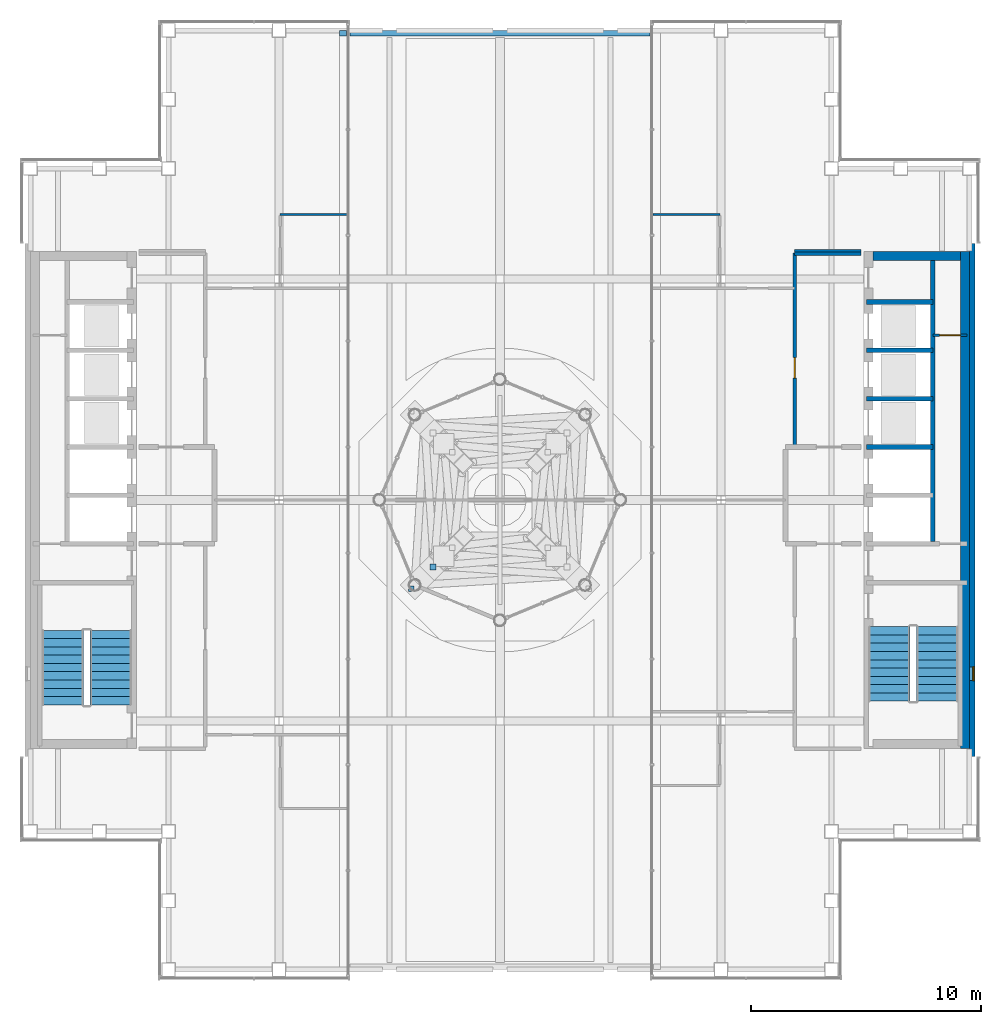
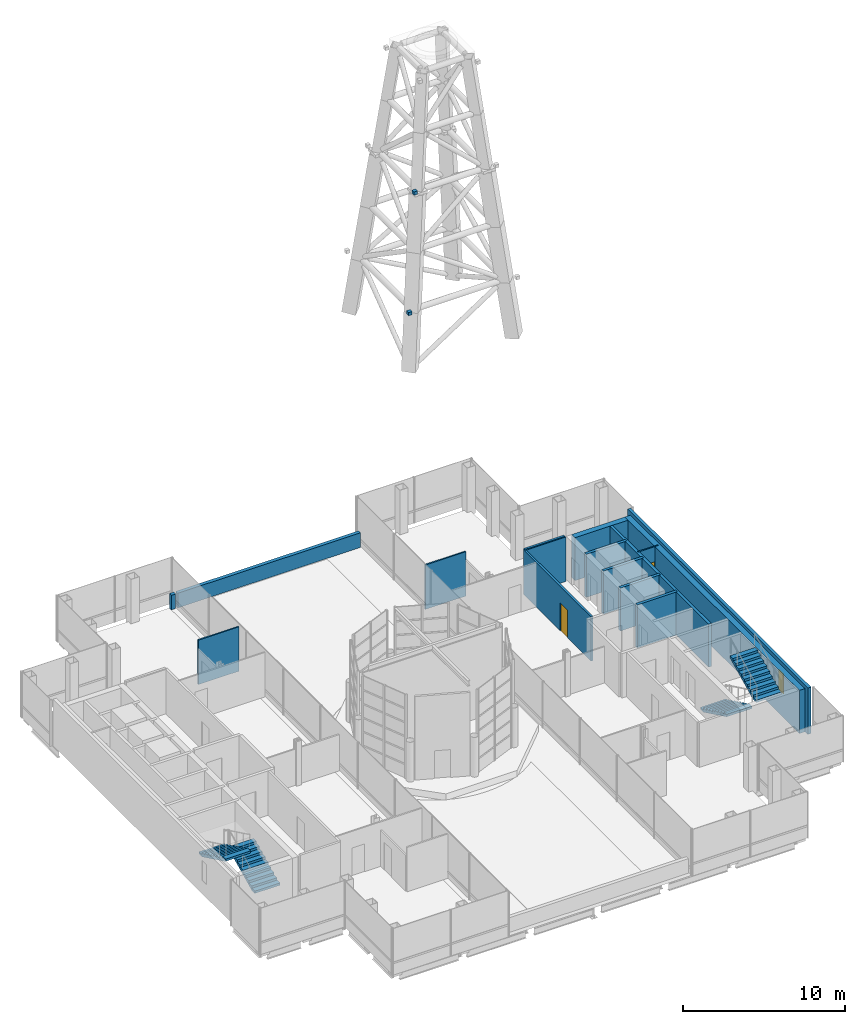
# One storey, part 27 of 32: 16 walls, 4 stair flights, 2 discrete accessories, 2 doors, 1 window, 3 openings, 2 elements without a shape of their own.
"""IFC4 building model written with IfcOpenShell, lengths in metres."""

from ifc_helpers import new_model, si_unit, direction, frame, frame_2d, origin, origin_2d, place, context, subcontext, project, spatial, polyline, rectangle, outline, extrude, material, layer, layer_set, type_object, element, fill, aggregate, save


model = new_model("IFC4")

# Units and contexts
model_context = context("Model", 3, precision=1e-05, world=origin(), true_north=direction((0.0, 1.0)))
body_context = subcontext(model_context, "Body", "Model", "MODEL_VIEW")
ifc_project = project(units=[si_unit("LENGTHUNIT", "METRE"), si_unit("AREAUNIT", "SQUARE_METRE"), si_unit("VOLUMEUNIT", "CUBIC_METRE"), si_unit("PLANEANGLEUNIT", "RADIAN"), si_unit("MASSUNIT", "GRAM", prefix="KILO")], contexts=[model_context])

# Site, building, storey
site_placement = place(None, origin())
site = spatial("IfcSite", under=ifc_project, at=site_placement, CompositionType="ELEMENT")
building_placement = place(site_placement, origin())
building = spatial("IfcBuilding", under=site, at=building_placement, Name="Cobrizo Arcos Hotel Tower", CompositionType="ELEMENT")
storey_placement = place(building_placement, frame((0.0, 0.0, 265.5)))
storey = spatial("IfcBuildingStorey", under=building, at=storey_placement, Name="L70", CompositionType="ELEMENT", Elevation=265.5)

# Walls
ifc_material_1 = material(Name="Gypsum board partition")
ifc_layer_1 = layer(ifc_material_1, 0.14990234375)
ifc_layer_set_1 = layer_set([ifc_layer_1], Name="Corridor wall EI 60 150")
wall_type_1 = type_object("IfcWallType", Name="Corridor wall EI 60 150", PredefinedType="PARTITIONING", material=ifc_layer_set_1)
for number, where, z_axis, x_axis, name in (
    (1, (12.800048828125, 10.699951171875, 0.0), (0.0, 0.0, 1.0), (1.0, 0.0, 0.0), "Partition 036"),
    (2, (12.800048828125, 10.800048828125, 0.0), (0.0, 0.0, 1.0), (1.0, 0.0, 0.0), "Partition 038"),
):
    element("IfcWall", number, at=place(storey_placement, frame(where, z_axis=z_axis, x_axis=x_axis)), inside=storey, type_object=wall_type_1, Name=name, PredefinedType="PARTITIONING", context=body_context, shape_type="SweptSolid", body=[
        extrude(rectangle(XDim=2.8798828125, YDim=0.14990234375, at=frame_2d((1.43994140625, 0.0))), origin(), (0.0, 0.0, 1.0), 3.35009765625),
    ])

# Wall, opening, door
wall_1_placement = place(storey_placement, frame((12.800048828125, 2.39990234375, 0.0), z_axis=(0.0, 0.0, 1.0), x_axis=(0.0, 1.0, 0.0)))
wall_1 = element("IfcWall", 3, at=wall_1_placement, inside=storey, type_object=wall_type_1, Name="Partition 055", PredefinedType="PARTITIONING", context=body_context, shape_type="SweptSolid", body=[
    extrude(rectangle(XDim=8.3251953125, YDim=0.14990234375, at=frame_2d((4.16259765625, 0.0))), origin(), (0.0, 0.0, 1.0), 3.35009765625),
])
opening_1_placement = place(wall_1_placement, frame((2.889892578125, 0.0, 0.0)))
opening_1 = element("IfcOpeningElement", 4, at=opening_1_placement, cuts=wall_1, Name="Opening RD-07", PredefinedType="OPENING", context=body_context, shape_type="SweptSolid", body=[
    extrude(rectangle(XDim=0.89990234375, YDim=2.10009765625, at=frame_2d((0.449951171875, 1.050048828125))), frame((0.0, 0.0869140625, 0.0), z_axis=(0.0, -1.0, 0.0), x_axis=(1.0, 0.0, 0.0)), (0.0, 0.0, 1.0), 0.173828125),
])
ifc_material_2 = material(Name="Timber door leaf", Category="wood")
door_type = type_object("IfcDoorType", Name="Room door FD30 900x2100", OperationType="SINGLE_SWING_LEFT", PredefinedType="DOOR", material=ifc_material_2)
door_1_placement = place(opening_1_placement, origin())
door_1 = element("IfcDoor", 5, at=door_1_placement, inside=storey, type_object=door_type, Name="Door RD-07", OperationType="SINGLE_SWING_RIGHT", OverallHeight=2.10009765625, OverallWidth=0.89990234375, PredefinedType="DOOR", context=body_context, shape_type="SweptSolid", body=[
    extrude(rectangle(XDim=0.89990234375, YDim=2.10009765625, at=frame_2d((0.449951171875, 1.050048828125))), frame((0.0, 0.02490234375, 0.0), z_axis=(0.0, -1.0, 0.0), x_axis=(1.0, 0.0, 0.0)), (0.0, 0.0, 1.0), 0.050048828125),
])
fill(opening_1, door_1)

# Wall, opening, window
ifc_material_3 = material(Name="Aluminium composite panel pale metal", Category="aluminium")
ifc_layer_2 = layer(ifc_material_3, 0.22509765625)
ifc_layer_set_2 = layer_set([ifc_layer_2], Name="EW-1 insulated panel wall 225")
wall_type_2 = type_object("IfcWallType", Name="EW-1 insulated panel wall 225", PredefinedType="SOLIDWALL", material=ifc_layer_set_2)
wall_2_placement = place(storey_placement, frame((20.512451171875, -11.14990234375, 0.0), z_axis=(0.0, 0.0, 1.0), x_axis=(0.0, 1.0, 0.0)))
wall_2 = element("IfcWall", 6, at=wall_2_placement, inside=storey, type_object=wall_type_2, Name="Core face wall L70 E", PredefinedType="SOLIDWALL", context=body_context, shape_type="SweptSolid", body=[
    extrude(rectangle(XDim=22.2998046875, YDim=0.22509765625, at=frame_2d((11.14990234375, 0.0))), origin(), (0.0, 0.0, 1.0), 3.5),
])
opening_2_placement = place(wall_2_placement, frame((3.300048828125, 0.0, 1.0)))
opening_2 = element("IfcOpeningElement", 7, at=opening_2_placement, cuts=wall_2, Name="Opening W-159", PredefinedType="OPENING", context=body_context, shape_type="SweptSolid", body=[
    extrude(rectangle(XDim=0.60009765625, YDim=1.5, at=frame_2d((0.300048828125, 0.75))), frame((0.0, 0.12451171875, 0.0), z_axis=(0.0, -1.0, 0.0), x_axis=(1.0, 0.0, 0.0)), (0.0, 0.0, 1.0), 0.2490234375),
])
ifc_material_4 = material(Name="Aluminium 6063-T6 and clear laminated glass", Category="aluminium")
window_type = type_object("IfcWindowType", Name="W-C1 core stair slot window 600x1500", PartitioningType="SINGLE_PANEL", PredefinedType="WINDOW", material=ifc_material_4)
window_placement = place(opening_2_placement, origin())
window = element("IfcWindow", 8, at=window_placement, inside=storey, type_object=window_type, Name="Core face wall L70 E window W-159", OverallHeight=1.5, OverallWidth=0.60009765625, PartitioningType="SINGLE_PANEL", PredefinedType="WINDOW", context=body_context, shape_type="SweptSolid", body=[
    extrude(rectangle(XDim=0.60009765625, YDim=1.5, at=frame_2d((0.300048828125, 0.75))), frame((0.0, -0.0224609375, 0.0), z_axis=(0.0, -1.0, 0.0), x_axis=(1.0, 0.0, 0.0)), (0.0, 0.0, 1.0), 0.06005859375),
])
fill(opening_2, window)

# Walls
ifc_layer_3 = layer(ifc_material_3, 0.25)
ifc_layer_set_3 = layer_set([ifc_layer_3], Name="PW-1 parapet wall")
wall_type_3 = type_object("IfcWallType", Name="PW-1 parapet wall", PredefinedType="PARAPET", material=ifc_layer_set_3)
wall_3_placement = place(storey_placement, frame((6.52392578125, 20.27490234375, 0.0), z_axis=(0.0, 0.0, 1.0), x_axis=(-1.0, 0.0, 0.0)))
element("IfcWall", 9, at=wall_3_placement, inside=storey, type_object=wall_type_3, Name="Parapet L69 N", PredefinedType="PARAPET", context=body_context, shape_type="SweptSolid", body=[
    extrude(rectangle(XDim=13.0478515625, YDim=0.25, at=frame_2d((6.52392578125, 0.0))), origin(), (0.0, 0.0, 1.0), 1.10009765625),
])
wall_4_placement = place(storey_placement, frame((-6.674072265625, 20.27490234375, 0.0), z_axis=(0.0, 0.0, 1.0), x_axis=(-1.0, 0.0, 0.0)))
element("IfcWall", 10, at=wall_4_placement, inside=storey, type_object=wall_type_3, Name="Parapet L69 N", PredefinedType="PARAPET", context=body_context, shape_type="SweptSolid", body=[
    extrude(rectangle(XDim=0.300048828125, YDim=0.25, at=frame_2d((0.14990234375, 0.0))), origin(), (0.0, 0.0, 1.0), 1.10009765625),
])

# Wall, opening, door
ifc_layer_4 = layer(ifc_material_1, 0.10009765625)
ifc_layer_set_4 = layer_set([ifc_layer_4], Name="Partition EI 30 100")
wall_type_4 = type_object("IfcWallType", Name="Partition EI 30 100", PredefinedType="PARTITIONING", material=ifc_layer_set_4)
wall_5_placement = place(storey_placement, frame((18.800048828125, 7.14990234375, 0.0), z_axis=(0.0, 0.0, 1.0), x_axis=(1.0, 0.0, 0.0)))
wall_5 = element("IfcWall", 11, at=wall_5_placement, inside=storey, type_object=wall_type_4, Name="Partition 030", PredefinedType="PARTITIONING", context=body_context, shape_type="SweptSolid", body=[
    extrude(rectangle(XDim=1.47998046875, YDim=0.10009765625, at=frame_2d((0.739990234375, 0.0))), origin(), (0.0, 0.0, 1.0), 3.25),
])
opening_3_placement = place(wall_5_placement, frame((0.300048828125, 0.0, 0.0)))
opening_3 = element("IfcOpeningElement", 12, at=opening_3_placement, cuts=wall_5, Name="Opening RD-06", PredefinedType="OPENING", context=body_context, shape_type="SweptSolid", body=[
    extrude(rectangle(XDim=0.89990234375, YDim=2.10009765625, at=frame_2d((0.449951171875, 1.050048828125))), frame((0.0, 0.06201171875, 0.0), z_axis=(0.0, -1.0, 0.0), x_axis=(1.0, 0.0, 0.0)), (0.0, 0.0, 1.0), 0.1240234375),
])
door_2_placement = place(opening_3_placement, origin())
door_2 = element("IfcDoor", 13, at=door_2_placement, inside=storey, type_object=door_type, Name="Door RD-06", OperationType="SINGLE_SWING_RIGHT", OverallHeight=2.10009765625, OverallWidth=0.89990234375, PredefinedType="DOOR", context=body_context, shape_type="SweptSolid", body=[
    extrude(rectangle(XDim=0.89990234375, YDim=2.10009765625, at=frame_2d((0.449951171875, 1.050048828125))), frame((0.0, 0.02490234375, 0.0), z_axis=(0.0, -1.0, 0.0), x_axis=(1.0, 0.0, 0.0)), (0.0, 0.0, 1.0), 0.050048828125),
])
fill(opening_3, door_2)

# Walls
for number, where, z_axis, x_axis, name in (
    (14, (-9.550048828125, 12.39990234375, 0.0), (0.0, 0.0, 1.0), (1.0, 0.0, 0.0), "Partition 039"),
    (15, (6.64404296875, 12.39990234375, 0.0), (0.0, 0.0, 1.0), (1.0, 0.0, 0.0), "Partition 040"),
):
    element("IfcWall", number, at=place(storey_placement, frame(where, z_axis=z_axis, x_axis=x_axis)), inside=storey, type_object=wall_type_4, Name=name, PredefinedType="PARTITIONING", context=body_context, shape_type="SweptSolid", body=[
        extrude(rectangle(XDim=2.906005859375, YDim=0.10009765625, at=frame_2d((1.453125, 0.0))), origin(), (0.0, 0.0, 1.0), 3.35009765625),
    ])
ifc_material_5 = material(Name="Concrete f'c 40 MPa", Category="concrete")
ifc_layer_5 = layer(ifc_material_5, 0.39990234375)
ifc_layer_set_5 = layer_set([ifc_layer_5], Name="RC core wall 400 f'c 40")
wall_type_5 = type_object("IfcWallType", Name="RC core wall 400 f'c 40", PredefinedType="SHEAR", material=ifc_layer_set_5)
wall_6_placement = place(storey_placement, frame((20.199951171875, -10.800048828125, 0.0), z_axis=(0.0, 0.0, 1.0), x_axis=(0.0, 1.0, 0.0)))
element("IfcWall", 16, at=wall_6_placement, inside=storey, type_object=wall_type_5, Name="Core wall CW4, east core, outer face, L70", PredefinedType="SHEAR", context=body_context, shape_type="SweptSolid", body=[
    extrude(rectangle(XDim=21.60009765625, YDim=0.39990234375, at=frame_2d((10.800048828125, 0.0))), origin(), (0.0, 0.0, 1.0), 3.25),
])
wall_7_placement = place(storey_placement, frame((16.199951171875, 10.60009765625, 0.0), z_axis=(0.0, 0.0, 1.0), x_axis=(1.0, 0.0, 0.0)))
element("IfcWall", 17, at=wall_7_placement, inside=storey, type_object=wall_type_5, Name="Core wall CW4, east core, north end, L70", PredefinedType="SHEAR", context=body_context, shape_type="SweptSolid", body=[
    extrude(rectangle(XDim=3.800048828125, YDim=0.39990234375, at=frame_2d((1.89990234375, 0.0))), origin(), (0.0, 0.0, 1.0), 3.25),
])
ifc_layer_6 = layer(ifc_material_1, 0.199951171875)
ifc_layer_set_6 = layer_set([ifc_layer_6], Name="Shaft wall EI 120 200")
wall_type_6 = type_object("IfcWallType", Name="Shaft wall EI 120 200", PredefinedType="PARTITIONING", material=ifc_layer_set_6)
for number, where, z_axis, x_axis, name in (
    (18, (15.919921875, 2.300048828125, 0.0), (0.0, 0.0, 1.0), (1.0, 0.0, 0.0), "Partition 024"),
    (19, (15.919921875, 4.39990234375, 0.0), (0.0, 0.0, 1.0), (1.0, 0.0, 0.0), "Partition 026"),
    (20, (15.919921875, 6.5, 0.0), (0.0, 0.0, 1.0), (1.0, 0.0, 0.0), "Partition 028"),
    (21, (15.919921875, 8.60009765625, 0.0), (0.0, 0.0, 1.0), (1.0, 0.0, 0.0), "Partition 032"),
):
    element("IfcWall", number, at=place(storey_placement, frame(where, z_axis=z_axis, x_axis=x_axis)), inside=storey, type_object=wall_type_6, Name=name, PredefinedType="PARTITIONING", context=body_context, shape_type="SweptSolid", body=[
        extrude(rectangle(XDim=2.880126953125, YDim=0.199951171875, at=frame_2d((1.43994140625, 0.0))), origin(), (0.0, 0.0, 1.0), 3.25),
    ])
wall_8_placement = place(storey_placement, frame((18.800048828125, -1.800048828125, 0.0), z_axis=(0.0, 0.0, 1.0), x_axis=(0.0, 1.0, 0.0)))
element("IfcWall", 22, at=wall_8_placement, inside=storey, type_object=wall_type_6, Name="Partition 056", PredefinedType="PARTITIONING", context=body_context, shape_type="SweptSolid", body=[
    extrude(rectangle(XDim=12.47998046875, YDim=0.199951171875, at=frame_2d((6.239990234375, 0.0))), origin(), (0.0, 0.0, 1.0), 3.25),
])

# Stair, stair flights
stair_type = type_object("IfcStairType", Name="Exit stair", PredefinedType="HALF_TURN_STAIR", material=ifc_material_5)
stair_1_placement = place(storey_placement, origin())
stair_1 = element("IfcStair", 23, at=stair_1_placement, inside=storey, type_object=stair_type, Name="L70 Exit stair ST-W", PredefinedType="HALF_TURN_STAIR")
stair_flight_type = type_object("IfcStairFlightType", Name="Exit stair flight", PredefinedType="STRAIGHT", material=ifc_material_5)
stair_flight_1_placement = place(storey_placement, frame((-16.89990234375, -8.89990234375, 0.0), z_axis=(0.0, 0.0, 1.0), x_axis=(0.0, 1.0, 0.0)))
stair_flight_1 = element("IfcStairFlight", 24, at=stair_flight_1_placement, type_object=stair_flight_type, Name="ST-W flight 1", NumberOfRisers=10, NumberOfTreads=9, PredefinedType="STRAIGHT", RiserHeight=0.175, TreadLength=0.36, context=body_context, shape_type="SweptSolid", body=[
    extrude(outline(polyline([(0.0, 0.0), (0.0, 0.175048828125), (0.360107421875, 0.175048828125), (0.360107421875, 0.35009765625), (0.719970703125, 0.35009765625), (0.719970703125, 0.52490234375), (1.080078125, 0.52490234375), (1.080078125, 0.699951171875), (1.43994140625, 0.699951171875), (1.43994140625, 0.875), (1.800048828125, 0.875), (1.800048828125, 1.050048828125), (2.159912109375, 1.050048828125), (2.159912109375, 1.22509765625), (2.52001953125, 1.22509765625), (2.52001953125, 1.39990234375), (2.8798828125, 1.39990234375), (2.8798828125, 1.574951171875), (3.239990234375, 1.574951171875), (3.239990234375, 1.75), (3.239990234375, 1.408203125), (0.3427734375, 0.0), (0.0, 0.0)])), frame((0.0, 0.89990234375, 0.0), z_axis=(0.0, -1.0, 0.0), x_axis=(1.0, 0.0, 0.0)), (0.0, 0.0, 1.0), 1.800048828125),
])
stair_flight_2_placement = place(storey_placement, frame((-19.0, -5.659912109375, 1.75), z_axis=(0.0, 0.0, 1.0), x_axis=(0.0, -1.0, 0.0)))
stair_flight_2 = element("IfcStairFlight", 25, at=stair_flight_2_placement, type_object=stair_flight_type, Name="ST-W flight 2", NumberOfRisers=10, NumberOfTreads=9, PredefinedType="STRAIGHT", RiserHeight=0.175, TreadLength=0.36, context=body_context, shape_type="SweptSolid", body=[
    extrude(outline(polyline([(0.0, 0.0), (0.0, 0.175048828125), (0.360107421875, 0.175048828125), (0.360107421875, 0.35009765625), (0.719970703125, 0.35009765625), (0.719970703125, 0.52490234375), (1.080078125, 0.52490234375), (1.080078125, 0.699951171875), (1.43994140625, 0.699951171875), (1.43994140625, 0.875), (1.800048828125, 0.875), (1.800048828125, 1.050048828125), (2.159912109375, 1.050048828125), (2.159912109375, 1.22509765625), (2.52001953125, 1.22509765625), (2.52001953125, 1.39990234375), (2.8798828125, 1.39990234375), (2.8798828125, 1.574951171875), (3.239990234375, 1.574951171875), (3.239990234375, 1.75), (3.239990234375, 1.408203125), (0.3427734375, 0.0), (0.0, 0.0)])), frame((0.0, 0.89990234375, 0.0), z_axis=(0.0, -1.0, 0.0), x_axis=(1.0, 0.0, 0.0)), (0.0, 0.0, 1.0), 1.800048828125),
])
aggregate(stair_1, [stair_flight_1, stair_flight_2])

stair_2_placement = place(storey_placement, origin())
stair_2 = element("IfcStair", 26, at=stair_2_placement, inside=storey, type_object=stair_type, Name="L70 Exit stair ST-E", PredefinedType="HALF_TURN_STAIR")
stair_flight_3_placement = place(storey_placement, frame((16.89990234375, -5.5, 0.0), z_axis=(0.0, 0.0, 1.0), x_axis=(0.0, -1.0, 0.0)))
stair_flight_3 = element("IfcStairFlight", 27, at=stair_flight_3_placement, type_object=stair_flight_type, Name="ST-E flight 1", NumberOfRisers=10, NumberOfTreads=9, PredefinedType="STRAIGHT", RiserHeight=0.175, TreadLength=0.36, context=body_context, shape_type="SweptSolid", body=[
    extrude(outline(polyline([(0.0, 0.0), (0.0, 0.175048828125), (0.360107421875, 0.175048828125), (0.360107421875, 0.35009765625), (0.719970703125, 0.35009765625), (0.719970703125, 0.52490234375), (1.080078125, 0.52490234375), (1.080078125, 0.699951171875), (1.43994140625, 0.699951171875), (1.43994140625, 0.875), (1.800048828125, 0.875), (1.800048828125, 1.050048828125), (2.159912109375, 1.050048828125), (2.159912109375, 1.22509765625), (2.52001953125, 1.22509765625), (2.52001953125, 1.39990234375), (2.8798828125, 1.39990234375), (2.8798828125, 1.574951171875), (3.239990234375, 1.574951171875), (3.239990234375, 1.75), (3.239990234375, 1.408203125), (0.3427734375, 0.0), (0.0, 0.0)])), frame((0.0, 0.89990234375, 0.0), z_axis=(0.0, -1.0, 0.0), x_axis=(1.0, 0.0, 0.0)), (0.0, 0.0, 1.0), 1.800048828125),
])
stair_flight_4_placement = place(storey_placement, frame((19.0, -8.739990234375, 1.75), z_axis=(0.0, 0.0, 1.0), x_axis=(0.0, 1.0, 0.0)))
stair_flight_4 = element("IfcStairFlight", 28, at=stair_flight_4_placement, type_object=stair_flight_type, Name="ST-E flight 2", NumberOfRisers=10, NumberOfTreads=9, PredefinedType="STRAIGHT", RiserHeight=0.175, TreadLength=0.36, context=body_context, shape_type="SweptSolid", body=[
    extrude(outline(polyline([(0.0, 0.0), (0.0, 0.175048828125), (0.360107421875, 0.175048828125), (0.360107421875, 0.35009765625), (0.719970703125, 0.35009765625), (0.719970703125, 0.52490234375), (1.080078125, 0.52490234375), (1.080078125, 0.699951171875), (1.43994140625, 0.699951171875), (1.43994140625, 0.875), (1.800048828125, 0.875), (1.800048828125, 1.050048828125), (2.159912109375, 1.050048828125), (2.159912109375, 1.22509765625), (2.52001953125, 1.22509765625), (2.52001953125, 1.39990234375), (2.8798828125, 1.39990234375), (2.8798828125, 1.574951171875), (3.239990234375, 1.574951171875), (3.239990234375, 1.75), (3.239990234375, 1.408203125), (0.3427734375, 0.0), (0.0, 0.0)])), frame((0.0, 0.89990234375, 0.0), z_axis=(0.0, -1.0, 0.0), x_axis=(1.0, 0.0, 0.0)), (0.0, 0.0, 1.0), 1.800048828125),
])
aggregate(stair_2, [stair_flight_3, stair_flight_4])

# Discrete accessories
ifc_material_6 = material(Name="Steel ASTM A500 Grade C", Category="steel")
discrete_accessory_type = type_object("IfcDiscreteAccessoryType", Name="MAST aircraft warning light", PredefinedType="BRACKET", material=ifc_material_6)
for number, where, z_axis, x_axis, name in (
    (29, (-3.85009765625, -3.85009765625, 35.77490234375), (0.0, 0.0, 1.0), (1.0, 0.0, 0.0), "Aircraft warning light SW 1"),
    (30, (-2.909912109375, -2.909912109375, 43.97509765625), (0.0, 0.0, 1.0), (1.0, 0.0, 0.0), "Aircraft warning light SW 3"),
):
    element("IfcDiscreteAccessory", number, at=place(storey_placement, frame(where, z_axis=z_axis, x_axis=x_axis)), inside=storey, type_object=discrete_accessory_type, Name=name, PredefinedType="BRACKET", context=body_context, shape_type="SweptSolid", body=[
        extrude(rectangle(XDim=0.25, YDim=0.25, at=origin_2d()), origin(), (0.0, 0.0, 1.0), 0.25),
    ])

save(model, "model.ifc")
